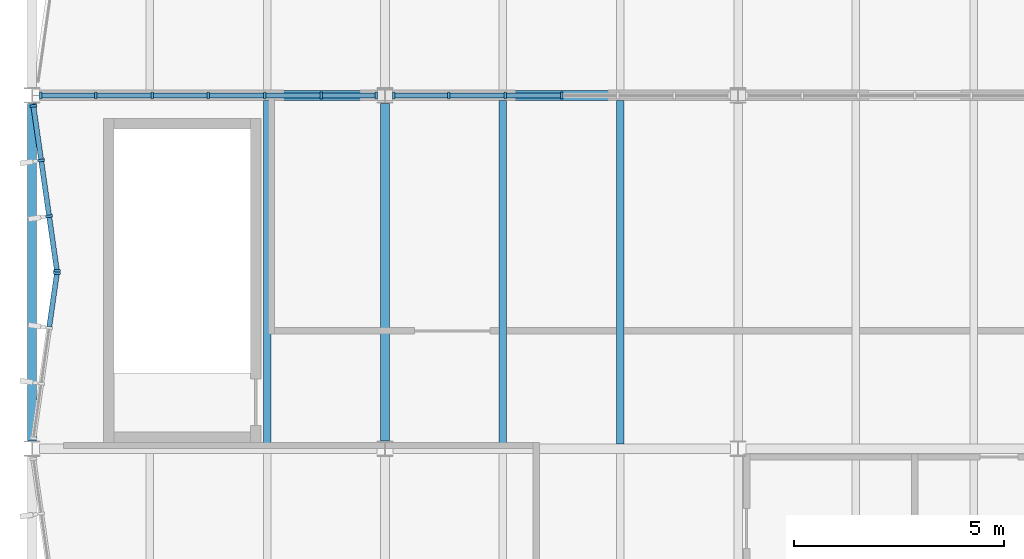
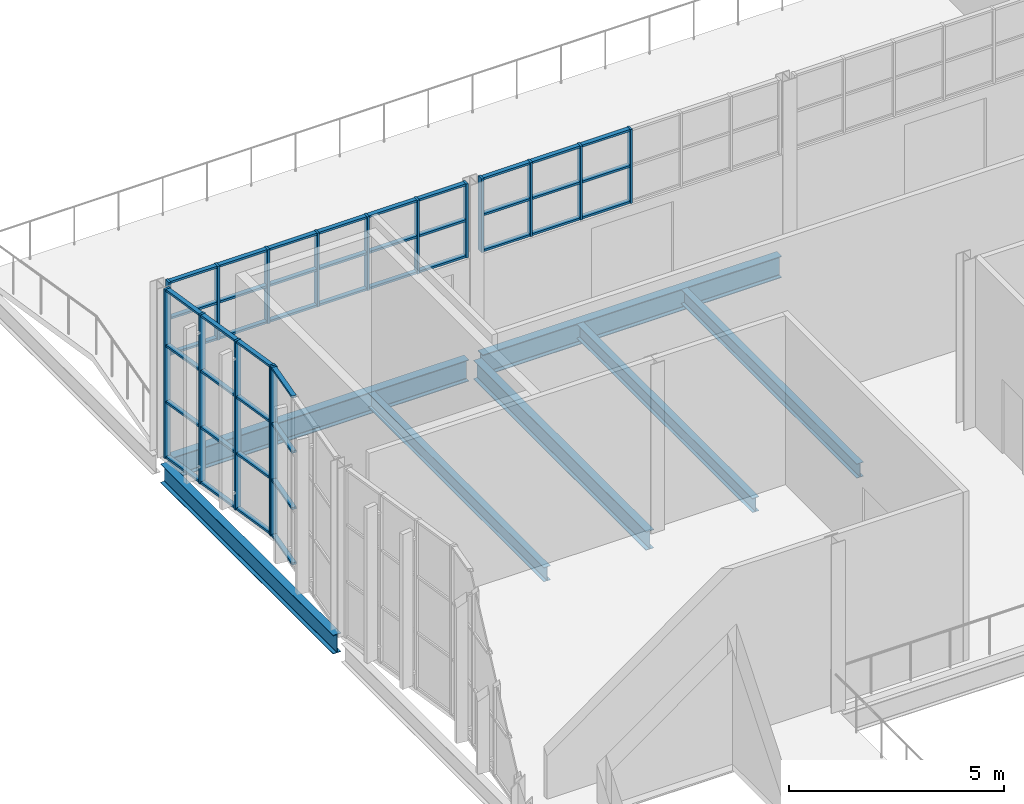
# One storey, part 38 of 116: 59 members, 7 beams, 4 elements without a shape of their own.
"""IFC4 building model written with IfcOpenShell, lengths in metres."""

from ifc_helpers import new_model, si_unit, direction, frame, origin, origin_2d, place, context, subcontext, project, spatial, rectangle, i_section, extrude, material, material_profile, profile_set, type_object, element, aggregate, save


model = new_model("IFC4")

# Units and contexts
model_context = context("Model", 3, precision=1e-05, world=origin(), true_north=direction((0.0, 1.0)))
body_context = subcontext(model_context, "Body", "Model", "MODEL_VIEW")
ifc_project = project(units=[si_unit("LENGTHUNIT", "METRE"), si_unit("AREAUNIT", "SQUARE_METRE"), si_unit("VOLUMEUNIT", "CUBIC_METRE"), si_unit("PLANEANGLEUNIT", "RADIAN"), si_unit("MASSUNIT", "GRAM", prefix="KILO")], contexts=[model_context])

# Site, building, storey
site_placement = place(None, origin())
site = spatial("IfcSite", under=ifc_project, at=site_placement, CompositionType="ELEMENT")
building_placement = place(site_placement, origin())
building = spatial("IfcBuilding", under=site, at=building_placement, Name="Ljudholm Concert House", CompositionType="ELEMENT")
storey_placement = place(building_placement, frame((0.0, 0.0, 10.199951171875)))
storey = spatial("IfcBuildingStorey", under=building, at=storey_placement, Name="L02", CompositionType="ELEMENT", Elevation=10.199951171875)

# Curtain wall, member
ifc_material_1 = material(Name="Aluminium curtain wall with impact-rated laminated glass", Category="aluminium")
curtain_wall_type = type_object("IfcCurtainWallType", Name="CURTAIN WALL 1400", PredefinedType="NOTDEFINED", material=ifc_material_1)
curtain_wall_1_placement = place(storey_placement, origin())
curtain_wall_1 = element("IfcCurtainWall", 1, at=curtain_wall_1_placement, inside=storey, type_object=curtain_wall_type, Name="Facade curtain wall", PredefinedType="NOTDEFINED")
ifc_material_2 = material(Name="Aluminium extrusion", Category="aluminium")
ifc_material_profile_1 = material_profile(ifc_material_2, rectangle(XDim=0.159912109375, YDim=0.06005859375, at=origin_2d()), Name="MULLION 60x160")
ifc_profile_set_1 = profile_set([ifc_material_profile_1], Name="Aluminium extrusion")
member_type_1 = type_object("IfcMemberType", Name="MULLION 60x160", PredefinedType="MULLION", material=ifc_profile_set_1)
member_1_placement = place(storey_placement, frame((4.595703125, 117.370361328125, 0.0), z_axis=(0.0, 0.0, 1.0), x_axis=(-0.989949493647, 0.141421356338, 0.0)))
member_1 = element("IfcMember", 2, at=member_1_placement, type_object=member_type_1, Name="Mullion", PredefinedType="MULLION", context=body_context, shape_type="SweptSolid", body=[
    extrude(rectangle(XDim=0.159912109375, YDim=0.06005859375, at=origin_2d()), origin(), (0.0, 0.0, 1.0), 4.800048828125),
])

# Curtain wall, members
curtain_wall_2_placement = place(storey_placement, origin())
curtain_wall_2 = element("IfcCurtainWall", 3, at=curtain_wall_2_placement, inside=storey, type_object=curtain_wall_type, Name="Facade curtain wall", PredefinedType="NOTDEFINED")
member_2_placement = place(storey_placement, frame((4.595703125, 117.4296875, 0.0), z_axis=(0.0, 0.0, 1.0), x_axis=(-0.989949493647, -0.141421356338, 0.0)))
member_2 = element("IfcMember", 4, at=member_2_placement, type_object=member_type_1, Name="Mullion", PredefinedType="MULLION", context=body_context, shape_type="SweptSolid", body=[
    extrude(rectangle(XDim=0.159912109375, YDim=0.06005859375, at=origin_2d()), origin(), (0.0, 0.0, 1.0), 4.800048828125),
])
member_3_placement = place(storey_placement, frame((4.410400390625, 118.727294921875, 0.0), z_axis=(0.0, 0.0, 1.0), x_axis=(-0.989949493647, -0.141421356338, 0.0)))
member_3 = element("IfcMember", 5, at=member_3_placement, type_object=member_type_1, Name="Mullion", PredefinedType="MULLION", context=body_context, shape_type="SweptSolid", body=[
    extrude(rectangle(XDim=0.159912109375, YDim=0.06005859375, at=origin_2d()), origin(), (0.0, 0.0, 1.0), 4.800048828125),
])
member_4_placement = place(storey_placement, frame((4.220703125, 120.0546875, 0.0), z_axis=(0.0, 0.0, 1.0), x_axis=(-0.989949493647, -0.141421356338, 0.0)))
member_4 = element("IfcMember", 6, at=member_4_placement, type_object=member_type_1, Name="Mullion", PredefinedType="MULLION", context=body_context, shape_type="SweptSolid", body=[
    extrude(rectangle(XDim=0.159912109375, YDim=0.06005859375, at=origin_2d()), origin(), (0.0, 0.0, 1.0), 4.800048828125),
])
member_5_placement = place(storey_placement, frame((4.035400390625, 121.3525390625, 0.0), z_axis=(0.0, 0.0, 1.0), x_axis=(-0.989949493647, -0.141421356338, 0.0)))
member_5 = element("IfcMember", 7, at=member_5_placement, type_object=member_type_1, Name="Mullion", PredefinedType="MULLION", context=body_context, shape_type="SweptSolid", body=[
    extrude(rectangle(XDim=0.159912109375, YDim=0.06005859375, at=origin_2d()), origin(), (0.0, 0.0, 1.0), 4.800048828125),
])

curtain_wall_3_placement = place(storey_placement, origin())
curtain_wall_3 = element("IfcCurtainWall", 8, at=curtain_wall_3_placement, inside=storey, type_object=curtain_wall_type, Name="Terrace curtain wall", PredefinedType="NOTDEFINED")
member_6_placement = place(storey_placement, frame((4.207763671875, 121.60009765625, 2.699951171875), z_axis=(0.0, 0.0, 1.0), x_axis=(0.0, 1.0, 0.0)))
member_6 = element("IfcMember", 9, at=member_6_placement, type_object=member_type_1, Name="Mullion", PredefinedType="MULLION", context=body_context, shape_type="SweptSolid", body=[
    extrude(rectangle(XDim=0.159912109375, YDim=0.06005859375, at=origin_2d()), origin(), (0.0, 0.0, 1.0), 2.10009765625),
])
member_7_placement = place(storey_placement, frame((5.5185546875, 121.60009765625, 2.699951171875), z_axis=(0.0, 0.0, 1.0), x_axis=(0.0, 1.0, 0.0)))
member_7 = element("IfcMember", 10, at=member_7_placement, type_object=member_type_1, Name="Mullion", PredefinedType="MULLION", context=body_context, shape_type="SweptSolid", body=[
    extrude(rectangle(XDim=0.159912109375, YDim=0.06005859375, at=origin_2d()), origin(), (0.0, 0.0, 1.0), 2.10009765625),
])
member_8_placement = place(storey_placement, frame((6.859375, 121.60009765625, 2.699951171875), z_axis=(0.0, 0.0, 1.0), x_axis=(0.0, 1.0, 0.0)))
member_8 = element("IfcMember", 11, at=member_8_placement, type_object=member_type_1, Name="Mullion", PredefinedType="MULLION", context=body_context, shape_type="SweptSolid", body=[
    extrude(rectangle(XDim=0.159912109375, YDim=0.06005859375, at=origin_2d()), origin(), (0.0, 0.0, 1.0), 2.10009765625),
])
member_9_placement = place(storey_placement, frame((8.199951171875, 121.60009765625, 2.699951171875), z_axis=(0.0, 0.0, 1.0), x_axis=(0.0, 1.0, 0.0)))
member_9 = element("IfcMember", 12, at=member_9_placement, type_object=member_type_1, Name="Mullion", PredefinedType="MULLION", context=body_context, shape_type="SweptSolid", body=[
    extrude(rectangle(XDim=0.159912109375, YDim=0.06005859375, at=origin_2d()), origin(), (0.0, 0.0, 1.0), 2.10009765625),
])
member_10_placement = place(storey_placement, frame((9.540771484375, 121.60009765625, 2.699951171875), z_axis=(0.0, 0.0, 1.0), x_axis=(0.0, 1.0, 0.0)))
member_10 = element("IfcMember", 13, at=member_10_placement, type_object=member_type_1, Name="Mullion", PredefinedType="MULLION", context=body_context, shape_type="SweptSolid", body=[
    extrude(rectangle(XDim=0.159912109375, YDim=0.06005859375, at=origin_2d()), origin(), (0.0, 0.0, 1.0), 2.10009765625),
])
member_11_placement = place(storey_placement, frame((10.88134765625, 121.60009765625, 2.699951171875), z_axis=(0.0, 0.0, 1.0), x_axis=(0.0, 1.0, 0.0)))
member_11 = element("IfcMember", 14, at=member_11_placement, type_object=member_type_1, Name="Mullion", PredefinedType="MULLION", context=body_context, shape_type="SweptSolid", body=[
    extrude(rectangle(XDim=0.159912109375, YDim=0.06005859375, at=origin_2d()), origin(), (0.0, 0.0, 1.0), 2.10009765625),
])
member_12_placement = place(storey_placement, frame((12.192138671875, 121.60009765625, 2.699951171875), z_axis=(0.0, 0.0, 1.0), x_axis=(0.0, 1.0, 0.0)))
member_12 = element("IfcMember", 15, at=member_12_placement, type_object=member_type_1, Name="Mullion", PredefinedType="MULLION", context=body_context, shape_type="SweptSolid", body=[
    extrude(rectangle(XDim=0.159912109375, YDim=0.06005859375, at=origin_2d()), origin(), (0.0, 0.0, 1.0), 2.10009765625),
])

curtain_wall_4_placement = place(storey_placement, origin())
curtain_wall_4 = element("IfcCurtainWall", 16, at=curtain_wall_4_placement, inside=storey, type_object=curtain_wall_type, Name="Terrace curtain wall", PredefinedType="NOTDEFINED")
member_13_placement = place(storey_placement, frame((12.60791015625, 121.60009765625, 2.699951171875), z_axis=(0.0, 0.0, 1.0), x_axis=(0.0, 1.0, 0.0)))
member_13 = element("IfcMember", 17, at=member_13_placement, type_object=member_type_1, Name="Mullion", PredefinedType="MULLION", context=body_context, shape_type="SweptSolid", body=[
    extrude(rectangle(XDim=0.159912109375, YDim=0.06005859375, at=origin_2d()), origin(), (0.0, 0.0, 1.0), 2.10009765625),
])
member_14_placement = place(storey_placement, frame((13.91845703125, 121.60009765625, 2.699951171875), z_axis=(0.0, 0.0, 1.0), x_axis=(0.0, 1.0, 0.0)))
member_14 = element("IfcMember", 18, at=member_14_placement, type_object=member_type_1, Name="Mullion", PredefinedType="MULLION", context=body_context, shape_type="SweptSolid", body=[
    extrude(rectangle(XDim=0.159912109375, YDim=0.06005859375, at=origin_2d()), origin(), (0.0, 0.0, 1.0), 2.10009765625),
])
member_15_placement = place(storey_placement, frame((15.25927734375, 121.60009765625, 2.699951171875), z_axis=(0.0, 0.0, 1.0), x_axis=(0.0, 1.0, 0.0)))
member_15 = element("IfcMember", 19, at=member_15_placement, type_object=member_type_1, Name="Mullion", PredefinedType="MULLION", context=body_context, shape_type="SweptSolid", body=[
    extrude(rectangle(XDim=0.159912109375, YDim=0.06005859375, at=origin_2d()), origin(), (0.0, 0.0, 1.0), 2.10009765625),
])
member_16_placement = place(storey_placement, frame((16.60009765625, 121.60009765625, 2.699951171875), z_axis=(0.0, 0.0, 1.0), x_axis=(0.0, 1.0, 0.0)))
member_16 = element("IfcMember", 20, at=member_16_placement, type_object=member_type_1, Name="Mullion", PredefinedType="MULLION", context=body_context, shape_type="SweptSolid", body=[
    extrude(rectangle(XDim=0.159912109375, YDim=0.06005859375, at=origin_2d()), origin(), (0.0, 0.0, 1.0), 2.10009765625),
])

# Beams
ifc_material_3 = material(Name="Steel ASTM A992", Category="steel")
ifc_material_profile_2 = material_profile(ifc_material_3, i_section(OverallWidth=0.177734375, OverallDepth=0.406494140625, WebThickness=0.0078125, FlangeThickness=0.012939453125, FilletRadius=0.01025390625, at=origin_2d()), Name="W16X40")
ifc_profile_set_2 = profile_set([ifc_material_profile_2], Name="Steel ASTM A992")
beam_type_1 = type_object("IfcBeamType", Name="STEEL BEAM W16X40", PredefinedType="BEAM", material=ifc_profile_set_2)
for number, where, z_axis, x_axis, name in (
    (21, (9.60009765625, 113.314453125, -0.383056640625), (0.0, 1.0, 0.0), (-1.0, 0.0, 0.0), "Secondary beam"),
    (22, (15.199951171875, 113.314453125, -0.383056640625), (0.0, 1.0, 0.0), (-1.0, 0.0, 0.0), "Secondary beam"),
    (23, (18.0, 113.314453125, -0.383056640625), (0.0, 1.0, 0.0), (-1.0, 0.0, 0.0), "Secondary beam"),
):
    element("IfcBeam", number, at=place(storey_placement, frame(where, z_axis=z_axis, x_axis=x_axis)), inside=storey, type_object=beam_type_1, Name=name, PredefinedType="BEAM", context=body_context, shape_type="SweptSolid", body=[
        extrude(i_section(OverallWidth=0.177734375, OverallDepth=0.406494140625, WebThickness=0.0078125, FlangeThickness=0.012939453125, FilletRadius=0.01025390625, at=origin_2d()), origin(), (0.0, 0.0, 1.0), 8.1708984375),
    ])
ifc_material_4 = material(Name="Steel ASTM A992", Category="steel")
ifc_material_profile_3 = material_profile(ifc_material_4, i_section(OverallWidth=0.209228515625, OverallDepth=0.533447265625, WebThickness=0.01025390625, FlangeThickness=0.015625, FilletRadius=0.012939453125, at=origin_2d()), Name="W21X62")
ifc_profile_set_3 = profile_set([ifc_material_profile_3], Name="Steel ASTM A992")
beam_type_2 = type_object("IfcBeamType", Name="STEEL BEAM W21X62", PredefinedType="BEAM", material=ifc_profile_set_3)
for number, where, z_axis, x_axis, name in (
    (24, (4.0, 113.38671875, -0.446533203125), (0.0, 1.0, 0.0), (-1.0, 0.0, 0.0), "Floor edge beam"),
    (25, (12.39990234375, 113.38671875, -0.446533203125), (0.0, 1.0, 0.0), (-1.0, 0.0, 0.0), "Floor edge beam"),
):
    element("IfcBeam", number, at=place(storey_placement, frame(where, z_axis=z_axis, x_axis=x_axis)), inside=storey, type_object=beam_type_2, Name=name, PredefinedType="BEAM", context=body_context, shape_type="SweptSolid", body=[
        extrude(i_section(OverallWidth=0.209228515625, OverallDepth=0.533447265625, WebThickness=0.01025390625, FlangeThickness=0.015625, FilletRadius=0.012939453125, at=origin_2d()), origin(), (0.0, 0.0, 1.0), 8.026611328125),
    ])
ifc_material_5 = material(Name="Steel ASTM A992", Category="steel")
ifc_material_profile_4 = material_profile(ifc_material_5, i_section(OverallWidth=0.22900390625, OverallDepth=0.612060546875, WebThickness=0.011962890625, FlangeThickness=0.01953125, FilletRadius=0.0126953125, at=origin_2d()), Name="W24X84")
ifc_profile_set_4 = profile_set([ifc_material_profile_4], Name="Steel ASTM A992")
beam_type_3 = type_object("IfcBeamType", Name="STEEL BEAM W24X84", PredefinedType="BEAM", material=ifc_profile_set_4)
for number, where, z_axis, x_axis, name in (
    (26, (4.186767578125, 121.60009765625, -0.486083984375), (1.0, 0.0, 0.0), (0.0, 1.0, 0.0), "Floor girder"),
    (27, (12.586669921875, 121.60009765625, -0.486083984375), (1.0, 0.0, 0.0), (0.0, 1.0, 0.0), "Floor girder"),
):
    element("IfcBeam", number, at=place(storey_placement, frame(where, z_axis=z_axis, x_axis=x_axis)), inside=storey, type_object=beam_type_3, Name=name, PredefinedType="BEAM", context=body_context, shape_type="SweptSolid", body=[
        extrude(i_section(OverallWidth=0.22900390625, OverallDepth=0.612060546875, WebThickness=0.011962890625, FlangeThickness=0.01953125, FilletRadius=0.0126953125, at=origin_2d()), origin(), (0.0, 0.0, 1.0), 8.026611328125),
    ])

# Member
ifc_material_6 = material(Name="Aluminium extrusion", Category="aluminium")
ifc_material_profile_5 = material_profile(ifc_material_6, rectangle(XDim=0.1201171875, YDim=0.06005859375, at=origin_2d()), Name="TRANSOM 60x120")
ifc_profile_set_5 = profile_set([ifc_material_profile_5], Name="Aluminium extrusion")
member_type_2 = type_object("IfcMemberType", Name="TRANSOM 60x120", PredefinedType="USERDEFINED", material=ifc_profile_set_5)
member_17_placement = place(storey_placement, frame((4.41455078125, 116.102294921875, 0.030029296875), z_axis=(0.141503330095, 0.989937779647, 0.0), x_axis=(-0.989937779647, 0.141503330095, 0.0)))
member_17 = element("IfcMember", 28, at=member_17_placement, type_object=member_type_2, Name="Transom", ObjectType="TRANSOM", PredefinedType="USERDEFINED", context=body_context, shape_type="SweptSolid", body=[
    extrude(rectangle(XDim=0.1201171875, YDim=0.06005859375, at=origin_2d()), origin(), (0.0, 0.0, 1.0), 1.2509765625),
])

member_18_placement = place(storey_placement, frame((4.41455078125, 116.102294921875, 1.60009765625), z_axis=(0.141503330095, 0.989937779647, 0.0), x_axis=(-0.989937779647, 0.141503330095, 0.0)))
member_18 = element("IfcMember", 29, at=member_18_placement, type_object=member_type_2, Name="Transom", ObjectType="TRANSOM", PredefinedType="USERDEFINED", context=body_context, shape_type="SweptSolid", body=[
    extrude(rectangle(XDim=0.1201171875, YDim=0.06005859375, at=origin_2d()), origin(), (0.0, 0.0, 1.0), 1.2509765625),
])

member_19_placement = place(storey_placement, frame((4.41455078125, 116.102294921875, 3.199951171875), z_axis=(0.141503330095, 0.989937779647, 0.0), x_axis=(-0.989937779647, 0.141503330095, 0.0)))
member_19 = element("IfcMember", 30, at=member_19_placement, type_object=member_type_2, Name="Transom", ObjectType="TRANSOM", PredefinedType="USERDEFINED", context=body_context, shape_type="SweptSolid", body=[
    extrude(rectangle(XDim=0.1201171875, YDim=0.06005859375, at=origin_2d()), origin(), (0.0, 0.0, 1.0), 1.2509765625),
])

member_20_placement = place(storey_placement, frame((4.41455078125, 116.102294921875, 4.77001953125), z_axis=(0.141503330095, 0.989937779647, 0.0), x_axis=(-0.989937779647, 0.141503330095, 0.0)))
member_20 = element("IfcMember", 31, at=member_20_placement, type_object=member_type_2, Name="Transom", ObjectType="TRANSOM", PredefinedType="USERDEFINED", context=body_context, shape_type="SweptSolid", body=[
    extrude(rectangle(XDim=0.1201171875, YDim=0.06005859375, at=origin_2d()), origin(), (0.0, 0.0, 1.0), 1.2509765625),
])

aggregate(curtain_wall_1, [member_1, member_17, member_18, member_19, member_20])

member_21_placement = place(storey_placement, frame((4.591552734375, 117.45947265625, 0.030029296875), z_axis=(-0.141503330095, 0.989937779647, 0.0), x_axis=(-0.989937779647, -0.141503330095, 0.0)))
member_21 = element("IfcMember", 32, at=member_21_placement, type_object=member_type_2, Name="Transom", ObjectType="TRANSOM", PredefinedType="USERDEFINED", context=body_context, shape_type="SweptSolid", body=[
    extrude(rectangle(XDim=0.1201171875, YDim=0.06005859375, at=origin_2d()), origin(), (0.0, 0.0, 1.0), 1.2509765625),
])

member_22_placement = place(storey_placement, frame((4.591552734375, 117.45947265625, 1.60009765625), z_axis=(-0.141503330095, 0.989937779647, 0.0), x_axis=(-0.989937779647, -0.141503330095, 0.0)))
member_22 = element("IfcMember", 33, at=member_22_placement, type_object=member_type_2, Name="Transom", ObjectType="TRANSOM", PredefinedType="USERDEFINED", context=body_context, shape_type="SweptSolid", body=[
    extrude(rectangle(XDim=0.1201171875, YDim=0.06005859375, at=origin_2d()), origin(), (0.0, 0.0, 1.0), 1.2509765625),
])

member_23_placement = place(storey_placement, frame((4.591552734375, 117.45947265625, 3.199951171875), z_axis=(-0.141503330095, 0.989937779647, 0.0), x_axis=(-0.989937779647, -0.141503330095, 0.0)))
member_23 = element("IfcMember", 34, at=member_23_placement, type_object=member_type_2, Name="Transom", ObjectType="TRANSOM", PredefinedType="USERDEFINED", context=body_context, shape_type="SweptSolid", body=[
    extrude(rectangle(XDim=0.1201171875, YDim=0.06005859375, at=origin_2d()), origin(), (0.0, 0.0, 1.0), 1.2509765625),
])

member_24_placement = place(storey_placement, frame((4.591552734375, 117.45947265625, 4.77001953125), z_axis=(-0.141503330095, 0.989937779647, 0.0), x_axis=(-0.989937779647, -0.141503330095, 0.0)))
member_24 = element("IfcMember", 35, at=member_24_placement, type_object=member_type_2, Name="Transom", ObjectType="TRANSOM", PredefinedType="USERDEFINED", context=body_context, shape_type="SweptSolid", body=[
    extrude(rectangle(XDim=0.1201171875, YDim=0.06005859375, at=origin_2d()), origin(), (0.0, 0.0, 1.0), 1.2509765625),
])

member_25_placement = place(storey_placement, frame((4.40625, 118.757080078125, 0.030029296875), z_axis=(-0.141421356237, 0.989949493661, 0.0), x_axis=(-0.989949493661, -0.141421356237, 0.0)))
member_25 = element("IfcMember", 36, at=member_25_placement, type_object=member_type_2, Name="Transom", ObjectType="TRANSOM", PredefinedType="USERDEFINED", context=body_context, shape_type="SweptSolid", body=[
    extrude(rectangle(XDim=0.1201171875, YDim=0.06005859375, at=origin_2d()), origin(), (0.0, 0.0, 1.0), 1.281005859375),
])

member_26_placement = place(storey_placement, frame((4.40625, 118.757080078125, 1.60009765625), z_axis=(-0.141421356237, 0.989949493661, 0.0), x_axis=(-0.989949493661, -0.141421356237, 0.0)))
member_26 = element("IfcMember", 37, at=member_26_placement, type_object=member_type_2, Name="Transom", ObjectType="TRANSOM", PredefinedType="USERDEFINED", context=body_context, shape_type="SweptSolid", body=[
    extrude(rectangle(XDim=0.1201171875, YDim=0.06005859375, at=origin_2d()), origin(), (0.0, 0.0, 1.0), 1.281005859375),
])

member_27_placement = place(storey_placement, frame((4.40625, 118.757080078125, 3.199951171875), z_axis=(-0.141421356237, 0.989949493661, 0.0), x_axis=(-0.989949493661, -0.141421356237, 0.0)))
member_27 = element("IfcMember", 38, at=member_27_placement, type_object=member_type_2, Name="Transom", ObjectType="TRANSOM", PredefinedType="USERDEFINED", context=body_context, shape_type="SweptSolid", body=[
    extrude(rectangle(XDim=0.1201171875, YDim=0.06005859375, at=origin_2d()), origin(), (0.0, 0.0, 1.0), 1.281005859375),
])

member_28_placement = place(storey_placement, frame((4.40625, 118.757080078125, 4.77001953125), z_axis=(-0.141421356237, 0.989949493661, 0.0), x_axis=(-0.989949493661, -0.141421356237, 0.0)))
member_28 = element("IfcMember", 39, at=member_28_placement, type_object=member_type_2, Name="Transom", ObjectType="TRANSOM", PredefinedType="USERDEFINED", context=body_context, shape_type="SweptSolid", body=[
    extrude(rectangle(XDim=0.1201171875, YDim=0.06005859375, at=origin_2d()), origin(), (0.0, 0.0, 1.0), 1.281005859375),
])

member_29_placement = place(storey_placement, frame((4.216552734375, 120.08447265625, 0.030029296875), z_axis=(-0.141503330095, 0.989937779647, 0.0), x_axis=(-0.989937779647, -0.141503330095, 0.0)))
member_29 = element("IfcMember", 40, at=member_29_placement, type_object=member_type_2, Name="Transom", ObjectType="TRANSOM", PredefinedType="USERDEFINED", context=body_context, shape_type="SweptSolid", body=[
    extrude(rectangle(XDim=0.1201171875, YDim=0.06005859375, at=origin_2d()), origin(), (0.0, 0.0, 1.0), 1.2509765625),
])

member_30_placement = place(storey_placement, frame((4.216552734375, 120.08447265625, 1.60009765625), z_axis=(-0.141503330095, 0.989937779647, 0.0), x_axis=(-0.989937779647, -0.141503330095, 0.0)))
member_30 = element("IfcMember", 41, at=member_30_placement, type_object=member_type_2, Name="Transom", ObjectType="TRANSOM", PredefinedType="USERDEFINED", context=body_context, shape_type="SweptSolid", body=[
    extrude(rectangle(XDim=0.1201171875, YDim=0.06005859375, at=origin_2d()), origin(), (0.0, 0.0, 1.0), 1.2509765625),
])

member_31_placement = place(storey_placement, frame((4.216552734375, 120.08447265625, 3.199951171875), z_axis=(-0.141503330095, 0.989937779647, 0.0), x_axis=(-0.989937779647, -0.141503330095, 0.0)))
member_31 = element("IfcMember", 42, at=member_31_placement, type_object=member_type_2, Name="Transom", ObjectType="TRANSOM", PredefinedType="USERDEFINED", context=body_context, shape_type="SweptSolid", body=[
    extrude(rectangle(XDim=0.1201171875, YDim=0.06005859375, at=origin_2d()), origin(), (0.0, 0.0, 1.0), 1.2509765625),
])

member_32_placement = place(storey_placement, frame((4.216552734375, 120.08447265625, 4.77001953125), z_axis=(-0.141503330095, 0.989937779647, 0.0), x_axis=(-0.989937779647, -0.141503330095, 0.0)))
member_32 = element("IfcMember", 43, at=member_32_placement, type_object=member_type_2, Name="Transom", ObjectType="TRANSOM", PredefinedType="USERDEFINED", context=body_context, shape_type="SweptSolid", body=[
    extrude(rectangle(XDim=0.1201171875, YDim=0.06005859375, at=origin_2d()), origin(), (0.0, 0.0, 1.0), 1.2509765625),
])

aggregate(curtain_wall_2, [member_2, member_3, member_4, member_5, member_21, member_22, member_23, member_24, member_25, member_26, member_27, member_28, member_29, member_30, member_31, member_32])

member_33_placement = place(storey_placement, frame((4.23779296875, 121.60009765625, 2.72998046875), z_axis=(1.0, 0.0, 0.0), x_axis=(0.0, 1.0, 0.0)))
member_33 = element("IfcMember", 44, at=member_33_placement, type_object=member_type_2, Name="Transom", ObjectType="TRANSOM", PredefinedType="USERDEFINED", context=body_context, shape_type="SweptSolid", body=[
    extrude(rectangle(XDim=0.1201171875, YDim=0.06005859375, at=origin_2d()), origin(), (0.0, 0.0, 1.0), 1.250732421875),
])

member_34_placement = place(storey_placement, frame((4.23779296875, 121.60009765625, 3.75), z_axis=(1.0, 0.0, 0.0), x_axis=(0.0, 1.0, 0.0)))
member_34 = element("IfcMember", 45, at=member_34_placement, type_object=member_type_2, Name="Transom", ObjectType="TRANSOM", PredefinedType="USERDEFINED", context=body_context, shape_type="SweptSolid", body=[
    extrude(rectangle(XDim=0.1201171875, YDim=0.06005859375, at=origin_2d()), origin(), (0.0, 0.0, 1.0), 1.250732421875),
])

member_35_placement = place(storey_placement, frame((4.23779296875, 121.60009765625, 4.77001953125), z_axis=(1.0, 0.0, 0.0), x_axis=(0.0, 1.0, 0.0)))
member_35 = element("IfcMember", 46, at=member_35_placement, type_object=member_type_2, Name="Transom", ObjectType="TRANSOM", PredefinedType="USERDEFINED", context=body_context, shape_type="SweptSolid", body=[
    extrude(rectangle(XDim=0.1201171875, YDim=0.06005859375, at=origin_2d()), origin(), (0.0, 0.0, 1.0), 1.250732421875),
])

member_36_placement = place(storey_placement, frame((5.548583984375, 121.60009765625, 2.72998046875), z_axis=(1.0, 0.0, 0.0), x_axis=(0.0, 1.0, 0.0)))
member_36 = element("IfcMember", 47, at=member_36_placement, type_object=member_type_2, Name="Transom", ObjectType="TRANSOM", PredefinedType="USERDEFINED", context=body_context, shape_type="SweptSolid", body=[
    extrude(rectangle(XDim=0.1201171875, YDim=0.06005859375, at=origin_2d()), origin(), (0.0, 0.0, 1.0), 1.28076171875),
])

member_37_placement = place(storey_placement, frame((5.548583984375, 121.60009765625, 3.75), z_axis=(1.0, 0.0, 0.0), x_axis=(0.0, 1.0, 0.0)))
member_37 = element("IfcMember", 48, at=member_37_placement, type_object=member_type_2, Name="Transom", ObjectType="TRANSOM", PredefinedType="USERDEFINED", context=body_context, shape_type="SweptSolid", body=[
    extrude(rectangle(XDim=0.1201171875, YDim=0.06005859375, at=origin_2d()), origin(), (0.0, 0.0, 1.0), 1.28076171875),
])

member_38_placement = place(storey_placement, frame((5.548583984375, 121.60009765625, 4.77001953125), z_axis=(1.0, 0.0, 0.0), x_axis=(0.0, 1.0, 0.0)))
member_38 = element("IfcMember", 49, at=member_38_placement, type_object=member_type_2, Name="Transom", ObjectType="TRANSOM", PredefinedType="USERDEFINED", context=body_context, shape_type="SweptSolid", body=[
    extrude(rectangle(XDim=0.1201171875, YDim=0.06005859375, at=origin_2d()), origin(), (0.0, 0.0, 1.0), 1.28076171875),
])

member_39_placement = place(storey_placement, frame((6.88916015625, 121.60009765625, 2.72998046875), z_axis=(1.0, 0.0, 0.0), x_axis=(0.0, 1.0, 0.0)))
member_39 = element("IfcMember", 50, at=member_39_placement, type_object=member_type_2, Name="Transom", ObjectType="TRANSOM", PredefinedType="USERDEFINED", context=body_context, shape_type="SweptSolid", body=[
    extrude(rectangle(XDim=0.1201171875, YDim=0.06005859375, at=origin_2d()), origin(), (0.0, 0.0, 1.0), 1.28076171875),
])

member_40_placement = place(storey_placement, frame((6.88916015625, 121.60009765625, 3.75), z_axis=(1.0, 0.0, 0.0), x_axis=(0.0, 1.0, 0.0)))
member_40 = element("IfcMember", 51, at=member_40_placement, type_object=member_type_2, Name="Transom", ObjectType="TRANSOM", PredefinedType="USERDEFINED", context=body_context, shape_type="SweptSolid", body=[
    extrude(rectangle(XDim=0.1201171875, YDim=0.06005859375, at=origin_2d()), origin(), (0.0, 0.0, 1.0), 1.28076171875),
])

member_41_placement = place(storey_placement, frame((6.88916015625, 121.60009765625, 4.77001953125), z_axis=(1.0, 0.0, 0.0), x_axis=(0.0, 1.0, 0.0)))
member_41 = element("IfcMember", 52, at=member_41_placement, type_object=member_type_2, Name="Transom", ObjectType="TRANSOM", PredefinedType="USERDEFINED", context=body_context, shape_type="SweptSolid", body=[
    extrude(rectangle(XDim=0.1201171875, YDim=0.06005859375, at=origin_2d()), origin(), (0.0, 0.0, 1.0), 1.28076171875),
])

member_42_placement = place(storey_placement, frame((8.22998046875, 121.60009765625, 2.72998046875), z_axis=(1.0, 0.0, 0.0), x_axis=(0.0, 1.0, 0.0)))
member_42 = element("IfcMember", 53, at=member_42_placement, type_object=member_type_2, Name="Transom", ObjectType="TRANSOM", PredefinedType="USERDEFINED", context=body_context, shape_type="SweptSolid", body=[
    extrude(rectangle(XDim=0.1201171875, YDim=0.06005859375, at=origin_2d()), origin(), (0.0, 0.0, 1.0), 1.28076171875),
])

member_43_placement = place(storey_placement, frame((8.22998046875, 121.60009765625, 3.75), z_axis=(1.0, 0.0, 0.0), x_axis=(0.0, 1.0, 0.0)))
member_43 = element("IfcMember", 54, at=member_43_placement, type_object=member_type_2, Name="Transom", ObjectType="TRANSOM", PredefinedType="USERDEFINED", context=body_context, shape_type="SweptSolid", body=[
    extrude(rectangle(XDim=0.1201171875, YDim=0.06005859375, at=origin_2d()), origin(), (0.0, 0.0, 1.0), 1.28076171875),
])

member_44_placement = place(storey_placement, frame((8.22998046875, 121.60009765625, 4.77001953125), z_axis=(1.0, 0.0, 0.0), x_axis=(0.0, 1.0, 0.0)))
member_44 = element("IfcMember", 55, at=member_44_placement, type_object=member_type_2, Name="Transom", ObjectType="TRANSOM", PredefinedType="USERDEFINED", context=body_context, shape_type="SweptSolid", body=[
    extrude(rectangle(XDim=0.1201171875, YDim=0.06005859375, at=origin_2d()), origin(), (0.0, 0.0, 1.0), 1.28076171875),
])

member_45_placement = place(storey_placement, frame((9.57080078125, 121.60009765625, 2.72998046875), z_axis=(1.0, 0.0, 0.0), x_axis=(0.0, 1.0, 0.0)))
member_45 = element("IfcMember", 56, at=member_45_placement, type_object=member_type_2, Name="Transom", ObjectType="TRANSOM", PredefinedType="USERDEFINED", context=body_context, shape_type="SweptSolid", body=[
    extrude(rectangle(XDim=0.1201171875, YDim=0.06005859375, at=origin_2d()), origin(), (0.0, 0.0, 1.0), 1.28076171875),
])

member_46_placement = place(storey_placement, frame((9.57080078125, 121.60009765625, 3.75), z_axis=(1.0, 0.0, 0.0), x_axis=(0.0, 1.0, 0.0)))
member_46 = element("IfcMember", 57, at=member_46_placement, type_object=member_type_2, Name="Transom", ObjectType="TRANSOM", PredefinedType="USERDEFINED", context=body_context, shape_type="SweptSolid", body=[
    extrude(rectangle(XDim=0.1201171875, YDim=0.06005859375, at=origin_2d()), origin(), (0.0, 0.0, 1.0), 1.28076171875),
])

member_47_placement = place(storey_placement, frame((9.57080078125, 121.60009765625, 4.77001953125), z_axis=(1.0, 0.0, 0.0), x_axis=(0.0, 1.0, 0.0)))
member_47 = element("IfcMember", 58, at=member_47_placement, type_object=member_type_2, Name="Transom", ObjectType="TRANSOM", PredefinedType="USERDEFINED", context=body_context, shape_type="SweptSolid", body=[
    extrude(rectangle(XDim=0.1201171875, YDim=0.06005859375, at=origin_2d()), origin(), (0.0, 0.0, 1.0), 1.28076171875),
])

member_48_placement = place(storey_placement, frame((10.911376953125, 121.60009765625, 2.72998046875), z_axis=(1.0, 0.0, 0.0), x_axis=(0.0, 1.0, 0.0)))
member_48 = element("IfcMember", 59, at=member_48_placement, type_object=member_type_2, Name="Transom", ObjectType="TRANSOM", PredefinedType="USERDEFINED", context=body_context, shape_type="SweptSolid", body=[
    extrude(rectangle(XDim=0.1201171875, YDim=0.06005859375, at=origin_2d()), origin(), (0.0, 0.0, 1.0), 1.250732421875),
])

member_49_placement = place(storey_placement, frame((10.911376953125, 121.60009765625, 3.75), z_axis=(1.0, 0.0, 0.0), x_axis=(0.0, 1.0, 0.0)))
member_49 = element("IfcMember", 60, at=member_49_placement, type_object=member_type_2, Name="Transom", ObjectType="TRANSOM", PredefinedType="USERDEFINED", context=body_context, shape_type="SweptSolid", body=[
    extrude(rectangle(XDim=0.1201171875, YDim=0.06005859375, at=origin_2d()), origin(), (0.0, 0.0, 1.0), 1.250732421875),
])

member_50_placement = place(storey_placement, frame((10.911376953125, 121.60009765625, 4.77001953125), z_axis=(1.0, 0.0, 0.0), x_axis=(0.0, 1.0, 0.0)))
member_50 = element("IfcMember", 61, at=member_50_placement, type_object=member_type_2, Name="Transom", ObjectType="TRANSOM", PredefinedType="USERDEFINED", context=body_context, shape_type="SweptSolid", body=[
    extrude(rectangle(XDim=0.1201171875, YDim=0.06005859375, at=origin_2d()), origin(), (0.0, 0.0, 1.0), 1.250732421875),
])

aggregate(curtain_wall_3, [member_6, member_7, member_8, member_9, member_10, member_11, member_12, member_33, member_34, member_35, member_36, member_37, member_38, member_39, member_40, member_41, member_42, member_43, member_44, member_45, member_46, member_47, member_48, member_49, member_50])

member_51_placement = place(storey_placement, frame((12.6376953125, 121.60009765625, 2.72998046875), z_axis=(1.0, 0.0, 0.0), x_axis=(0.0, 1.0, 0.0)))
member_51 = element("IfcMember", 62, at=member_51_placement, type_object=member_type_2, Name="Transom", ObjectType="TRANSOM", PredefinedType="USERDEFINED", context=body_context, shape_type="SweptSolid", body=[
    extrude(rectangle(XDim=0.1201171875, YDim=0.06005859375, at=origin_2d()), origin(), (0.0, 0.0, 1.0), 1.250732421875),
])

member_52_placement = place(storey_placement, frame((12.6376953125, 121.60009765625, 3.75), z_axis=(1.0, 0.0, 0.0), x_axis=(0.0, 1.0, 0.0)))
member_52 = element("IfcMember", 63, at=member_52_placement, type_object=member_type_2, Name="Transom", ObjectType="TRANSOM", PredefinedType="USERDEFINED", context=body_context, shape_type="SweptSolid", body=[
    extrude(rectangle(XDim=0.1201171875, YDim=0.06005859375, at=origin_2d()), origin(), (0.0, 0.0, 1.0), 1.250732421875),
])

member_53_placement = place(storey_placement, frame((12.6376953125, 121.60009765625, 4.77001953125), z_axis=(1.0, 0.0, 0.0), x_axis=(0.0, 1.0, 0.0)))
member_53 = element("IfcMember", 64, at=member_53_placement, type_object=member_type_2, Name="Transom", ObjectType="TRANSOM", PredefinedType="USERDEFINED", context=body_context, shape_type="SweptSolid", body=[
    extrude(rectangle(XDim=0.1201171875, YDim=0.06005859375, at=origin_2d()), origin(), (0.0, 0.0, 1.0), 1.250732421875),
])

member_54_placement = place(storey_placement, frame((13.948486328125, 121.60009765625, 2.72998046875), z_axis=(1.0, 0.0, 0.0), x_axis=(0.0, 1.0, 0.0)))
member_54 = element("IfcMember", 65, at=member_54_placement, type_object=member_type_2, Name="Transom", ObjectType="TRANSOM", PredefinedType="USERDEFINED", context=body_context, shape_type="SweptSolid", body=[
    extrude(rectangle(XDim=0.1201171875, YDim=0.06005859375, at=origin_2d()), origin(), (0.0, 0.0, 1.0), 1.28076171875),
])

member_55_placement = place(storey_placement, frame((13.948486328125, 121.60009765625, 3.75), z_axis=(1.0, 0.0, 0.0), x_axis=(0.0, 1.0, 0.0)))
member_55 = element("IfcMember", 66, at=member_55_placement, type_object=member_type_2, Name="Transom", ObjectType="TRANSOM", PredefinedType="USERDEFINED", context=body_context, shape_type="SweptSolid", body=[
    extrude(rectangle(XDim=0.1201171875, YDim=0.06005859375, at=origin_2d()), origin(), (0.0, 0.0, 1.0), 1.28076171875),
])

member_56_placement = place(storey_placement, frame((13.948486328125, 121.60009765625, 4.77001953125), z_axis=(1.0, 0.0, 0.0), x_axis=(0.0, 1.0, 0.0)))
member_56 = element("IfcMember", 67, at=member_56_placement, type_object=member_type_2, Name="Transom", ObjectType="TRANSOM", PredefinedType="USERDEFINED", context=body_context, shape_type="SweptSolid", body=[
    extrude(rectangle(XDim=0.1201171875, YDim=0.06005859375, at=origin_2d()), origin(), (0.0, 0.0, 1.0), 1.28076171875),
])

member_57_placement = place(storey_placement, frame((15.289306640625, 121.60009765625, 2.72998046875), z_axis=(1.0, 0.0, 0.0), x_axis=(0.0, 1.0, 0.0)))
member_57 = element("IfcMember", 68, at=member_57_placement, type_object=member_type_2, Name="Transom", ObjectType="TRANSOM", PredefinedType="USERDEFINED", context=body_context, shape_type="SweptSolid", body=[
    extrude(rectangle(XDim=0.1201171875, YDim=0.06005859375, at=origin_2d()), origin(), (0.0, 0.0, 1.0), 1.28076171875),
])

member_58_placement = place(storey_placement, frame((15.289306640625, 121.60009765625, 3.75), z_axis=(1.0, 0.0, 0.0), x_axis=(0.0, 1.0, 0.0)))
member_58 = element("IfcMember", 69, at=member_58_placement, type_object=member_type_2, Name="Transom", ObjectType="TRANSOM", PredefinedType="USERDEFINED", context=body_context, shape_type="SweptSolid", body=[
    extrude(rectangle(XDim=0.1201171875, YDim=0.06005859375, at=origin_2d()), origin(), (0.0, 0.0, 1.0), 1.28076171875),
])

member_59_placement = place(storey_placement, frame((15.289306640625, 121.60009765625, 4.77001953125), z_axis=(1.0, 0.0, 0.0), x_axis=(0.0, 1.0, 0.0)))
member_59 = element("IfcMember", 70, at=member_59_placement, type_object=member_type_2, Name="Transom", ObjectType="TRANSOM", PredefinedType="USERDEFINED", context=body_context, shape_type="SweptSolid", body=[
    extrude(rectangle(XDim=0.1201171875, YDim=0.06005859375, at=origin_2d()), origin(), (0.0, 0.0, 1.0), 1.28076171875),
])

aggregate(curtain_wall_4, [member_13, member_14, member_15, member_16, member_51, member_52, member_53, member_54, member_55, member_56, member_57, member_58, member_59])

save(model, "model.ifc")
